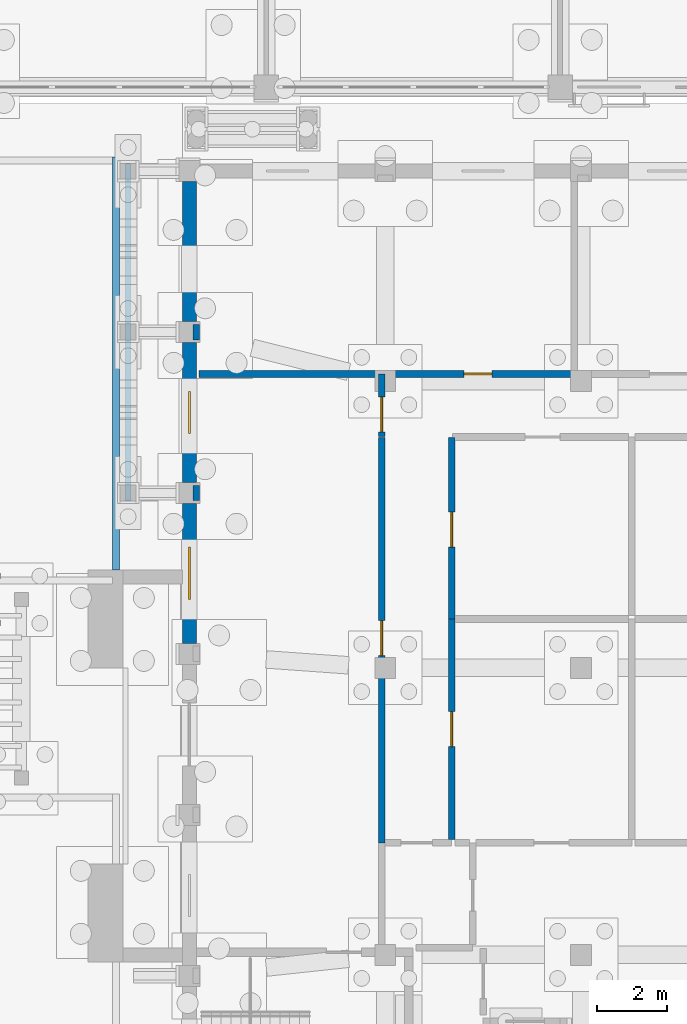
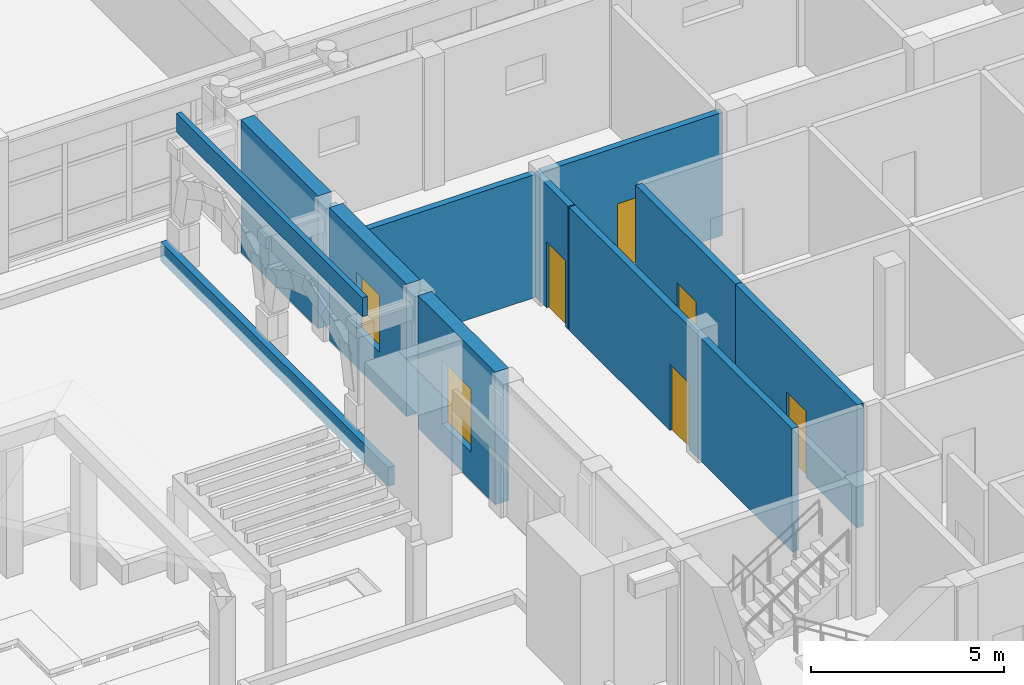
# One storey, part 68 of 112: 13 walls, 5 doors, 2 windows, 7 openings.
"""IFC4 building model written with IfcOpenShell, lengths in metres."""

from ifc_helpers import new_model, si_unit, direction, frame, frame_2d, origin, place, context, subcontext, project, spatial, rectangle, extrude, material, layer, layer_set, type_object, element, fill, save


model = new_model("IFC4")

# Units and contexts
model_context = context("Model", 3, precision=1e-05, world=origin(), true_north=direction((0.0, 1.0)))
body_context = subcontext(model_context, "Body", "Model", "MODEL_VIEW")
ifc_project = project(units=[si_unit("LENGTHUNIT", "METRE"), si_unit("AREAUNIT", "SQUARE_METRE"), si_unit("VOLUMEUNIT", "CUBIC_METRE"), si_unit("PLANEANGLEUNIT", "RADIAN"), si_unit("MASSUNIT", "GRAM", prefix="KILO")], contexts=[model_context])

# Site, building, storey
site_placement = place(None, origin())
site = spatial("IfcSite", under=ifc_project, at=site_placement, CompositionType="ELEMENT")
building_placement = place(site_placement, origin())
building = spatial("IfcBuilding", under=site, at=building_placement, Name="Wasatch Bagh Community Centre", CompositionType="ELEMENT")
storey_placement = place(building_placement, origin())
storey = spatial("IfcBuildingStorey", under=building, at=storey_placement, Name="L00", CompositionType="ELEMENT", Elevation=0.0)

# Wall
ifc_material_1 = material(Name="Concrete C35", Category="concrete")
ifc_layer_1 = layer(ifc_material_1, 0.14990234375)
ifc_layer_set_1 = layer_set([ifc_layer_1], Name="Concrete C35")
wall_type_1 = type_object("IfcWallType", Name="CL-W2", PredefinedType="PARAPET", material=ifc_layer_set_1)
wall_1_placement = place(storey_placement, frame((110.449951171875, 56.375, 4.050048828125), z_axis=(0.0, 0.0, 1.0), x_axis=(0.0, 1.0, 0.0)))
element("IfcWall", 1, at=wall_1_placement, inside=storey, type_object=wall_type_1, Name="CL-W2 arcade parapet SH 1", PredefinedType="PARAPET", context=body_context, shape_type="SweptSolid", body=[
    extrude(rectangle(XDim=9.64990234375, YDim=0.14990234375, at=frame_2d((4.824951171875, 0.0))), origin(), (0.0, 0.0, 1.0), 0.599853515625),
])

# Wall, opening, window
ifc_material_2 = material(Name="Concrete C40", Category="concrete")
ifc_layer_2 = layer(ifc_material_2, 0.39990234375)
ifc_layer_set_2 = layer_set([ifc_layer_2], Name="Concrete C40")
wall_type_2 = type_object("IfcWallType", Name="SH RC WALL 400 solidwall", PredefinedType="SOLIDWALL", material=ifc_layer_set_2)
wall_2_placement = place(storey_placement, frame((112.199951171875, 52.300048828125, 0.0), z_axis=(0.0, 0.0, 1.0), x_axis=(0.0, 1.0, 0.0)))
wall_2 = element("IfcWall", 2, at=wall_2_placement, inside=storey, type_object=wall_type_2, Name="SH.wall.L00.16", PredefinedType="SOLIDWALL", context=body_context, shape_type="SweptSolid", body=[
    extrude(rectangle(XDim=4.0, YDim=0.39990234375, at=frame_2d((2.0, 0.0))), origin(), (0.0, 0.0, 1.0), 4.199951171875),
])
opening_1_placement = place(wall_2_placement, frame((1.25, 0.0, 0.89990234375)))
opening_1 = element("IfcOpeningElement", 3, at=opening_1_placement, cuts=wall_2, Name="Opening 0S-W13", PredefinedType="OPENING", context=body_context, shape_type="SweptSolid", body=[
    extrude(rectangle(XDim=1.5, YDim=2.0, at=frame_2d((0.75, 1.0))), frame((0.0, 0.2099609375, 0.0), z_axis=(0.0, -1.0, 0.0), x_axis=(1.0, 0.0, 0.0)), (0.0, 0.0, 1.0), 0.419921875),
])
ifc_material_3 = material(Name="Aluminium frame with double glazing", Category="aluminium")
window_type_1 = type_object("IfcWindowType", Name="SH window 1500x2000", PartitioningType="SINGLE_PANEL", PredefinedType="WINDOW", material=ifc_material_3)
window_1_placement = place(opening_1_placement, origin())
window_1 = element("IfcWindow", 4, at=window_1_placement, inside=storey, type_object=window_type_1, Name="SH.window.L00.0S-W13", OverallHeight=2.0, OverallWidth=1.5, PartitioningType="SINGLE_PANEL", PredefinedType="WINDOW", context=body_context, shape_type="SweptSolid", body=[
    extrude(rectangle(XDim=1.5, YDim=2.0, at=frame_2d((0.75, 1.0))), frame((0.0, 0.030029296875, 0.0), z_axis=(0.0, -1.0, 0.0), x_axis=(1.0, 0.0, 0.0)), (0.0, 0.0, 1.0), 0.06005859375),
])
fill(opening_1, window_1)

wall_3_placement = place(storey_placement, frame((112.199951171875, 56.89990234375, 0.0), z_axis=(0.0, 0.0, 1.0), x_axis=(0.0, 1.0, 0.0)))
wall_3 = element("IfcWall", 5, at=wall_3_placement, inside=storey, type_object=wall_type_2, Name="SH.wall.L00.17", PredefinedType="SOLIDWALL", context=body_context, shape_type="SweptSolid", body=[
    extrude(rectangle(XDim=4.0, YDim=0.39990234375, at=frame_2d((2.0, 0.0))), origin(), (0.0, 0.0, 1.0), 4.199951171875),
])
opening_2_placement = place(wall_3_placement, frame((1.39990234375, 0.0, 1.199951171875)))
opening_2 = element("IfcOpeningElement", 6, at=opening_2_placement, cuts=wall_3, Name="Opening 0S-W14", PredefinedType="OPENING", context=body_context, shape_type="SweptSolid", body=[
    extrude(rectangle(XDim=1.199951171875, YDim=1.800048828125, at=frame_2d((0.60009765625, 0.89990234375))), frame((0.0, 0.2099609375, 0.0), z_axis=(0.0, -1.0, 0.0), x_axis=(1.0, 0.0, 0.0)), (0.0, 0.0, 1.0), 0.419921875),
])
window_type_2 = type_object("IfcWindowType", Name="SH window 1200x1800", PartitioningType="SINGLE_PANEL", PredefinedType="WINDOW", material=ifc_material_3)
window_2_placement = place(opening_2_placement, origin())
window_2 = element("IfcWindow", 7, at=window_2_placement, inside=storey, type_object=window_type_2, Name="SH.window.L00.0S-W14", OverallHeight=1.800048828125, OverallWidth=1.199951171875, PartitioningType="SINGLE_PANEL", PredefinedType="WINDOW", context=body_context, shape_type="SweptSolid", body=[
    extrude(rectangle(XDim=1.199951171875, YDim=1.800048828125, at=frame_2d((0.60009765625, 0.89990234375))), frame((0.0, 0.030029296875, 0.0), z_axis=(0.0, -1.0, 0.0), x_axis=(1.0, 0.0, 0.0)), (0.0, 0.0, 1.0), 0.06005859375),
])
fill(opening_2, window_2)

# Walls
wall_4_placement = place(storey_placement, frame((112.199951171875, 61.5, 0.0), z_axis=(0.0, 0.0, 1.0), x_axis=(0.0, 1.0, 0.0)))
element("IfcWall", 8, at=wall_4_placement, inside=storey, type_object=wall_type_2, Name="SH.wall.L00.18", PredefinedType="SOLIDWALL", context=body_context, shape_type="SweptSolid", body=[
    extrude(rectangle(XDim=4.0, YDim=0.39990234375, at=frame_2d((2.0, 0.0))), origin(), (0.0, 0.0, 1.0), 4.199951171875),
])
ifc_material_4 = material(Name="Hollow block masonry, medium weight (ASTM Grade N)", Category="masonry")
ifc_layer_3 = layer(ifc_material_4, 0.18994140625)
ifc_layer_set_3 = layer_set([ifc_layer_3], Name="Hollow block masonry, medium weight (ASTM Grade N)")
wall_type_3 = type_object("IfcWallType", Name="SH partition 190", PredefinedType="PARTITIONING", material=ifc_layer_set_3)
wall_5_placement = place(storey_placement, frame((112.39990234375, 56.820068359375, 0.0), z_axis=(0.0, 0.0, 1.0), x_axis=(0.0, -1.0, 0.0)))
element("IfcWall", 9, at=wall_5_placement, inside=storey, type_object=wall_type_3, Name="SH.part.L00.004", PredefinedType="PARTITIONING", context=body_context, shape_type="SweptSolid", body=[
    extrude(rectangle(XDim=0.440185546875, YDim=0.18994140625, at=frame_2d((0.22021484375, 0.0))), origin(), (0.0, 0.0, 1.0), 3.89990234375),
])
wall_6_placement = place(storey_placement, frame((112.39990234375, 61.419921875, 0.0), z_axis=(0.0, 0.0, 1.0), x_axis=(0.0, -1.0, 0.0)))
element("IfcWall", 10, at=wall_6_placement, inside=storey, type_object=wall_type_3, Name="SH.part.L00.005", PredefinedType="PARTITIONING", context=body_context, shape_type="SweptSolid", body=[
    extrude(rectangle(XDim=0.43994140625, YDim=0.18994140625, at=frame_2d((0.219970703125, 0.0))), origin(), (0.0, 0.0, 1.0), 3.89990234375),
])
wall_7_placement = place(storey_placement, frame((117.60498046875, 60.0, 0.0), z_axis=(0.0, 0.0, 1.0), x_axis=(-1.0, 0.0, 0.0)))
element("IfcWall", 11, at=wall_7_placement, inside=storey, type_object=wall_type_3, Name="SH.part.L00.007", PredefinedType="PARTITIONING", context=body_context, shape_type="SweptSolid", body=[
    extrude(rectangle(XDim=5.125, YDim=0.18994140625, at=frame_2d((2.5625, 0.0))), origin(), (0.0, 0.0, 1.0), 3.89990234375),
])

# Wall, opening, door
wall_8_placement = place(storey_placement, frame((117.699951171875, 46.60009765625, 0.0), z_axis=(0.0, 0.0, 1.0), x_axis=(0.0, 1.0, 0.0)))
wall_8 = element("IfcWall", 12, at=wall_8_placement, inside=storey, type_object=wall_type_3, Name="SH.part.L00.009", PredefinedType="PARTITIONING", context=body_context, shape_type="SweptSolid", body=[
    extrude(rectangle(XDim=11.579833984375, YDim=0.18994140625, at=frame_2d((5.7900390625, 0.0))), origin(), (0.0, 0.0, 1.0), 3.89990234375),
])
opening_3_placement = place(wall_8_placement, frame((5.35009765625, 0.0, 0.0)))
opening_3 = element("IfcOpeningElement", 13, at=opening_3_placement, cuts=wall_8, Name="Opening 0S-14", PredefinedType="OPENING", context=body_context, shape_type="SweptSolid", body=[
    extrude(rectangle(XDim=1.0, YDim=2.10009765625, at=frame_2d((0.5, 1.050048828125))), frame((0.0, 0.10498046875, 0.0), z_axis=(0.0, -1.0, 0.0), x_axis=(1.0, 0.0, 0.0)), (0.0, 0.0, 1.0), 0.2099609375),
])
ifc_material_5 = material(Name="Painted hardwood timber", Category="wood")
door_type_1 = type_object("IfcDoorType", Name="SH door 1000x2100 single", OperationType="SINGLE_SWING_LEFT", PredefinedType="DOOR", material=ifc_material_5)
door_1_placement = place(opening_3_placement, origin())
door_1 = element("IfcDoor", 14, at=door_1_placement, inside=storey, type_object=door_type_1, Name="SH.door.L00.0S-14", OperationType="SINGLE_SWING_LEFT", OverallHeight=2.10009765625, OverallWidth=1.0, PredefinedType="DOOR", context=body_context, shape_type="SweptSolid", body=[
    extrude(rectangle(XDim=1.0, YDim=2.10009765625, at=frame_2d((0.5, 1.050048828125))), frame((0.0, 0.02490234375, 0.0), z_axis=(0.0, -1.0, 0.0), x_axis=(1.0, 0.0, 0.0)), (0.0, 0.0, 1.0), 0.050048828125),
])
fill(opening_3, door_1)

wall_9_placement = place(storey_placement, frame((117.699951171875, 58.219970703125, 0.0), z_axis=(0.0, 0.0, 1.0), x_axis=(0.0, 1.0, 0.0)))
wall_9 = element("IfcWall", 15, at=wall_9_placement, inside=storey, type_object=wall_type_3, Name="SH.part.L00.010", PredefinedType="PARTITIONING", context=body_context, shape_type="SweptSolid", body=[
    extrude(rectangle(XDim=1.780029296875, YDim=0.18994140625, at=frame_2d((0.89013671875, 0.0))), origin(), (0.0, 0.0, 1.0), 3.89990234375),
])
opening_4_placement = place(wall_9_placement, frame((0.1298828125, 0.0, 0.0)))
opening_4 = element("IfcOpeningElement", 16, at=opening_4_placement, cuts=wall_9, Name="Opening 0S-15", PredefinedType="OPENING", context=body_context, shape_type="SweptSolid", body=[
    extrude(rectangle(XDim=1.0, YDim=2.10009765625, at=frame_2d((0.5, 1.050048828125))), frame((0.0, 0.10498046875, 0.0), z_axis=(0.0, -1.0, 0.0), x_axis=(1.0, 0.0, 0.0)), (0.0, 0.0, 1.0), 0.2099609375),
])
door_2_placement = place(opening_4_placement, origin())
door_2 = element("IfcDoor", 17, at=door_2_placement, inside=storey, type_object=door_type_1, Name="SH.door.L00.0S-15", OperationType="SINGLE_SWING_LEFT", OverallHeight=2.10009765625, OverallWidth=1.0, PredefinedType="DOOR", context=body_context, shape_type="SweptSolid", body=[
    extrude(rectangle(XDim=1.0, YDim=2.10009765625, at=frame_2d((0.5, 1.050048828125))), frame((0.0, 0.02490234375, 0.0), z_axis=(0.0, -1.0, 0.0), x_axis=(1.0, 0.0, 0.0)), (0.0, 0.0, 1.0), 0.050048828125),
])
fill(opening_4, door_2)

wall_10_placement = place(storey_placement, frame((119.699951171875, 46.695068359375, 0.0), z_axis=(0.0, 0.0, 1.0), x_axis=(0.0, 1.0, 0.0)))
wall_10 = element("IfcWall", 18, at=wall_10_placement, inside=storey, type_object=wall_type_3, Name="SH.part.L00.013", PredefinedType="PARTITIONING", context=body_context, shape_type="SweptSolid", body=[
    extrude(rectangle(XDim=6.304931640625, YDim=0.18994140625, at=frame_2d((3.15234375, 0.0))), origin(), (0.0, 0.0, 1.0), 3.89990234375),
])
opening_5_placement = place(wall_10_placement, frame((2.655029296875, 0.0, 0.0)))
opening_5 = element("IfcOpeningElement", 19, at=opening_5_placement, cuts=wall_10, Name="Opening 0S-19", PredefinedType="OPENING", context=body_context, shape_type="SweptSolid", body=[
    extrude(rectangle(XDim=1.0, YDim=2.10009765625, at=frame_2d((0.5, 1.050048828125))), frame((0.0, 0.10498046875, 0.0), z_axis=(0.0, -1.0, 0.0), x_axis=(1.0, 0.0, 0.0)), (0.0, 0.0, 1.0), 0.2099609375),
])
door_3_placement = place(opening_5_placement, origin())
door_3 = element("IfcDoor", 20, at=door_3_placement, inside=storey, type_object=door_type_1, Name="SH.door.L00.0S-19", OperationType="SINGLE_SWING_LEFT", OverallHeight=2.10009765625, OverallWidth=1.0, PredefinedType="DOOR", context=body_context, shape_type="SweptSolid", body=[
    extrude(rectangle(XDim=1.0, YDim=2.10009765625, at=frame_2d((0.5, 1.050048828125))), frame((0.0, 0.02490234375, 0.0), z_axis=(0.0, -1.0, 0.0), x_axis=(1.0, 0.0, 0.0)), (0.0, 0.0, 1.0), 0.050048828125),
])
fill(opening_5, door_3)

wall_11_placement = place(storey_placement, frame((119.699951171875, 53.0, 0.0), z_axis=(0.0, 0.0, 1.0), x_axis=(0.0, 1.0, 0.0)))
wall_11 = element("IfcWall", 21, at=wall_11_placement, inside=storey, type_object=wall_type_3, Name="SH.part.L00.014", PredefinedType="PARTITIONING", context=body_context, shape_type="SweptSolid", body=[
    extrude(rectangle(XDim=5.179931640625, YDim=0.18994140625, at=frame_2d((2.58984375, 0.0))), origin(), (0.0, 0.0, 1.0), 3.89990234375),
])
opening_6_placement = place(wall_11_placement, frame((2.050048828125, 0.0, 0.0)))
opening_6 = element("IfcOpeningElement", 22, at=opening_6_placement, cuts=wall_11, Name="Opening 0S-23", PredefinedType="OPENING", context=body_context, shape_type="SweptSolid", body=[
    extrude(rectangle(XDim=1.0, YDim=2.10009765625, at=frame_2d((0.5, 1.050048828125))), frame((0.0, 0.10498046875, 0.0), z_axis=(0.0, -1.0, 0.0), x_axis=(1.0, 0.0, 0.0)), (0.0, 0.0, 1.0), 0.2099609375),
])
door_4_placement = place(opening_6_placement, origin())
door_4 = element("IfcDoor", 23, at=door_4_placement, inside=storey, type_object=door_type_1, Name="SH.door.L00.0S-23", OperationType="SINGLE_SWING_LEFT", OverallHeight=2.10009765625, OverallWidth=1.0, PredefinedType="DOOR", context=body_context, shape_type="SweptSolid", body=[
    extrude(rectangle(XDim=1.0, YDim=2.10009765625, at=frame_2d((0.5, 1.050048828125))), frame((0.0, 0.02490234375, 0.0), z_axis=(0.0, -1.0, 0.0), x_axis=(1.0, 0.0, 0.0)), (0.0, 0.0, 1.0), 0.050048828125),
])
fill(opening_6, door_4)

wall_12_placement = place(storey_placement, frame((123.199951171875, 60.0, 0.0), z_axis=(0.0, 0.0, 1.0), x_axis=(-1.0, 0.0, 0.0)))
wall_12 = element("IfcWall", 24, at=wall_12_placement, inside=storey, type_object=wall_type_3, Name="SH.part.L00.019", PredefinedType="PARTITIONING", context=body_context, shape_type="SweptSolid", body=[
    extrude(rectangle(XDim=5.405029296875, YDim=0.18994140625, at=frame_2d((2.70263671875, 0.0))), origin(), (0.0, 0.0, 1.0), 3.89990234375),
])
opening_7_placement = place(wall_12_placement, frame((2.35009765625, 0.0, 0.0)))
opening_7 = element("IfcOpeningElement", 25, at=opening_7_placement, cuts=wall_12, Name="Opening 0S-32", PredefinedType="OPENING", context=body_context, shape_type="SweptSolid", body=[
    extrude(rectangle(XDim=0.800048828125, YDim=2.10009765625, at=frame_2d((0.39990234375, 1.050048828125))), frame((0.0, 0.10498046875, 0.0), z_axis=(0.0, -1.0, 0.0), x_axis=(1.0, 0.0, 0.0)), (0.0, 0.0, 1.0), 0.2099609375),
])
door_type_2 = type_object("IfcDoorType", Name="SH door 800x2100 single", OperationType="SINGLE_SWING_LEFT", PredefinedType="DOOR", material=ifc_material_5)
door_5_placement = place(opening_7_placement, origin())
door_5 = element("IfcDoor", 26, at=door_5_placement, inside=storey, type_object=door_type_2, Name="SH.door.L00.0S-32", OperationType="SINGLE_SWING_LEFT", OverallHeight=2.10009765625, OverallWidth=0.800048828125, PredefinedType="DOOR", context=body_context, shape_type="SweptSolid", body=[
    extrude(rectangle(XDim=0.800048828125, YDim=2.10009765625, at=frame_2d((0.39990234375, 1.050048828125))), frame((0.0, 0.02490234375, 0.0), z_axis=(0.0, -1.0, 0.0), x_axis=(1.0, 0.0, 0.0)), (0.0, 0.0, 1.0), 0.050048828125),
])
fill(opening_7, door_5)

# Wall
ifc_material_6 = material(Name="Concrete C30", Category="concrete")
ifc_layer_4 = layer(ifc_material_6, 0.199951171875)
ifc_layer_set_4 = layer_set([ifc_layer_4], Name="Concrete C30")
wall_type_4 = type_object("IfcWallType", Name="SITE-K1", PredefinedType="SOLIDWALL", material=ifc_layer_set_4)
wall_13_placement = place(storey_placement, frame((110.10009765625, 54.39990234375, 0.0), z_axis=(0.0, 0.0, 1.0), x_axis=(0.0, 1.0, 0.0)))
element("IfcWall", 27, at=wall_13_placement, inside=storey, type_object=wall_type_4, Name="Raised bed kerb - Garden quadrant NE", PredefinedType="SOLIDWALL", context=body_context, shape_type="SweptSolid", body=[
    extrude(rectangle(XDim=11.800048828125, YDim=0.199951171875, at=frame_2d((5.89990234375, 0.0))), origin(), (0.0, 0.0, 1.0), 0.60009765625),
])

save(model, "model.ifc")
